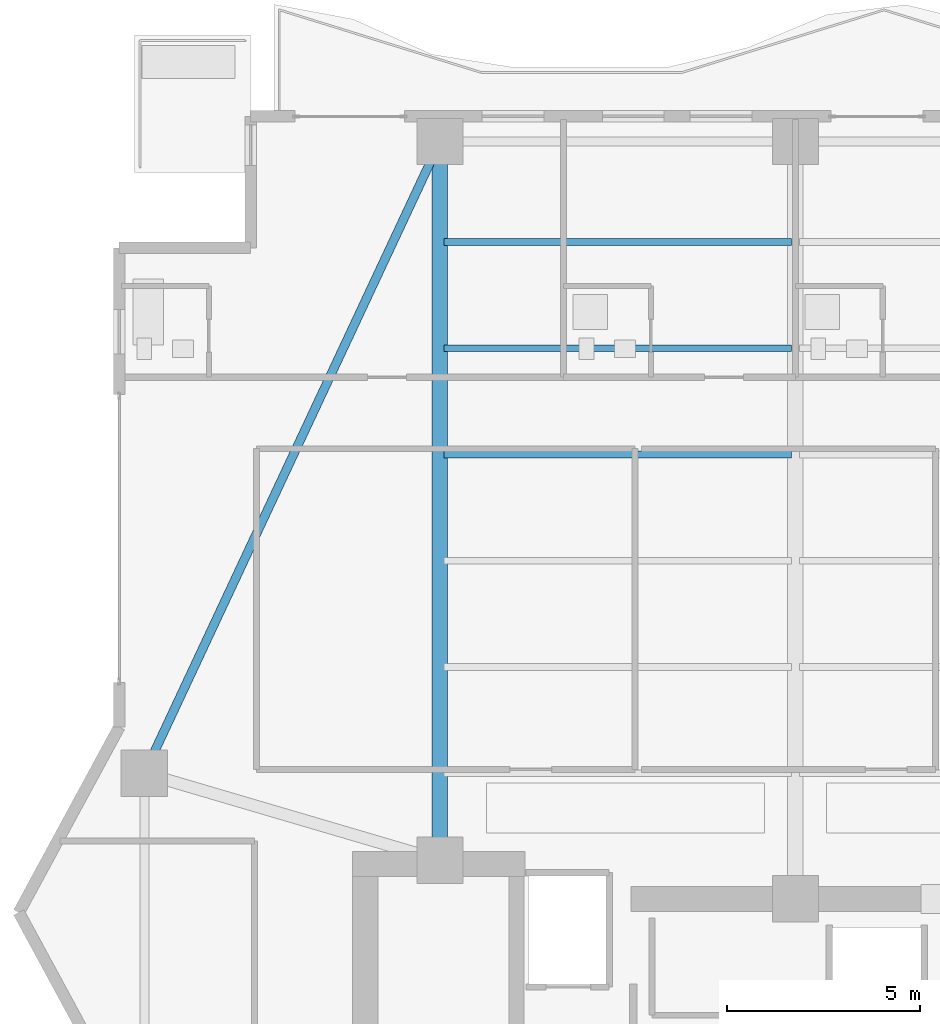
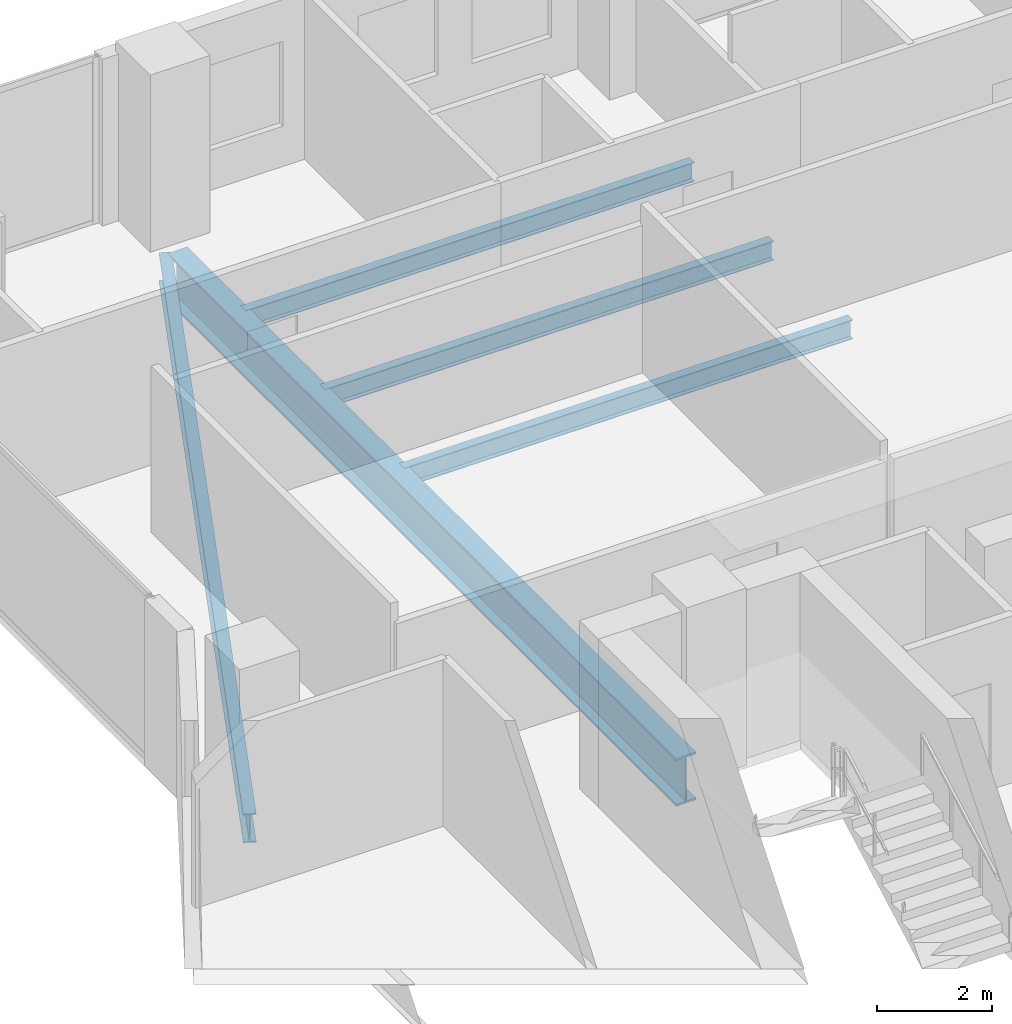
# One storey, part 16 of 32: 5 beams.
"""IFC4 building model written with IfcOpenShell, lengths in metres."""

from ifc_helpers import new_model, si_unit, direction, frame, origin, origin_2d, place, context, subcontext, project, spatial, i_section, extrude, material, material_profile, profile_set, type_object, element, save


model = new_model("IFC4")

# Units and contexts
model_context = context("Model", 3, precision=1e-05, world=origin(), true_north=direction((0.0, 1.0)))
body_context = subcontext(model_context, "Body", "Model", "MODEL_VIEW")
ifc_project = project(units=[si_unit("LENGTHUNIT", "METRE"), si_unit("AREAUNIT", "SQUARE_METRE"), si_unit("VOLUMEUNIT", "CUBIC_METRE"), si_unit("PLANEANGLEUNIT", "RADIAN"), si_unit("MASSUNIT", "GRAM", prefix="KILO")], contexts=[model_context])

# Site, building, storey
site_placement = place(None, origin())
site = spatial("IfcSite", under=ifc_project, at=site_placement, CompositionType="ELEMENT")
building_placement = place(site_placement, origin())
building = spatial("IfcBuilding", under=site, at=building_placement, Name="Zuhayl Quay Hotel", CompositionType="ELEMENT")
storey_placement = place(building_placement, frame((0.0, 0.0, 181.14990234375)))
storey = spatial("IfcBuildingStorey", under=building, at=storey_placement, Name="L45", CompositionType="ELEMENT", Elevation=181.14990234375)

# Beams
ifc_material = material(Name="Steel ASTM A992 Grade 50", Category="steel")
ifc_material_profile_1 = material_profile(ifc_material, i_section(OverallWidth=0.22802734375, OverallDepth=0.60693359375, WebThickness=0.01123046875, FlangeThickness=0.017333984375, at=origin_2d()), Name="W24X76")
ifc_profile_set_1 = profile_set([ifc_material_profile_1], Name="Steel ASTM A992 Grade 50")
beam_type_1 = type_object("IfcBeamType", Name="BM_B3_W24X76", PredefinedType="BEAM", material=ifc_profile_set_1)
beam_1_placement = place(storey_placement, frame((-14.011962890625, 32.4970703125, -0.5234375), z_axis=(-0.423792164429, -0.905759461098, 0.0), x_axis=(0.905759461098, -0.423792164429, 0.0)))
element("IfcBeam", 1, at=beam_1_placement, inside=storey, type_object=beam_type_1, Name="L45 Floor Beam RG_L45_10", PredefinedType="BEAM", context=body_context, shape_type="SweptSolid", body=[
    extrude(i_section(OverallWidth=0.22802734375, OverallDepth=0.60693359375, WebThickness=0.01123046875, FlangeThickness=0.017333984375, at=origin_2d()), origin(), (0.0, 0.0, 1.0), 17.051025390625),
])
ifc_material_profile_2 = material_profile(ifc_material, i_section(OverallWidth=0.177978515625, OverallDepth=0.406005859375, WebThickness=0.0078125, FlangeThickness=0.0126953125, at=origin_2d()), Name="W16X40")
ifc_profile_set_2 = profile_set([ifc_material_profile_2], Name="Steel ASTM A992 Grade 50")
beam_type_2 = type_object("IfcBeamType", Name="BM_J2B_W16X40", PredefinedType="JOIST", material=ifc_profile_set_2)
for number, where, z_axis, x_axis, name in (
    (2, (-13.694091796875, 24.85009765625, -0.4228515625), (1.0, 0.0, 0.0), (0.0, 1.0, 0.0), "L45 Floor Beam FJ_L45_4_1"),
    (3, (-13.694091796875, 27.60009765625, -0.4228515625), (1.0, 0.0, 0.0), (0.0, 1.0, 0.0), "L45 Floor Beam FJ_L45_5_1"),
    (4, (-13.694091796875, 30.35009765625, -0.4228515625), (1.0, 0.0, 0.0), (0.0, 1.0, 0.0), "L45 Floor Beam FJ_L45_6_1"),
):
    element("IfcBeam", number, at=place(storey_placement, frame(where, z_axis=z_axis, x_axis=x_axis)), inside=storey, type_object=beam_type_2, Name=name, PredefinedType="JOIST", context=body_context, shape_type="SweptSolid", body=[
        extrude(i_section(OverallWidth=0.177978515625, OverallDepth=0.406005859375, WebThickness=0.0078125, FlangeThickness=0.0126953125, at=origin_2d()), origin(), (0.0, 0.0, 1.0), 8.988037109375),
    ])
ifc_material_profile_3 = material_profile(ifc_material, i_section(OverallWidth=0.40087890625, OverallDepth=1.010986328125, WebThickness=0.023681640625, FlangeThickness=0.0419921875, at=origin_2d()), Name="W40X297")
ifc_profile_set_3 = profile_set([ifc_material_profile_3], Name="Steel ASTM A992 Grade 50")
beam_type_3 = type_object("IfcBeamType", Name="BM_TG2_W40X297", PredefinedType="BEAM", material=ifc_profile_set_3)
beam_2_placement = place(storey_placement, frame((-13.800048828125, 14.800048828125, -0.725341796875), z_axis=(0.0, 1.0, 0.0), x_axis=(-1.0, 0.0, 0.0)))
element("IfcBeam", 5, at=beam_2_placement, inside=storey, type_object=beam_type_3, Name="L45 Floor Beam FG_N_L45_1", PredefinedType="BEAM", context=body_context, shape_type="SweptSolid", body=[
    extrude(i_section(OverallWidth=0.40087890625, OverallDepth=1.010986328125, WebThickness=0.023681640625, FlangeThickness=0.0419921875, at=origin_2d()), origin(), (0.0, 0.0, 1.0), 17.64990234375),
])

save(model, "model.ifc")
